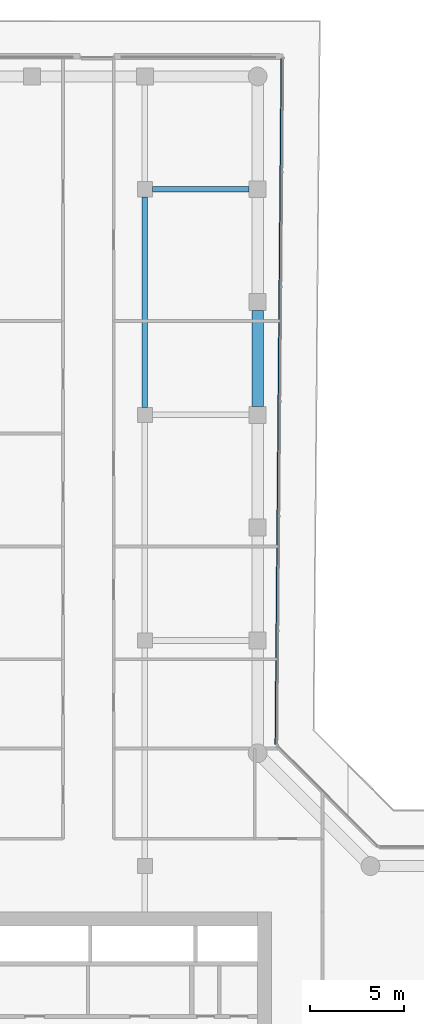
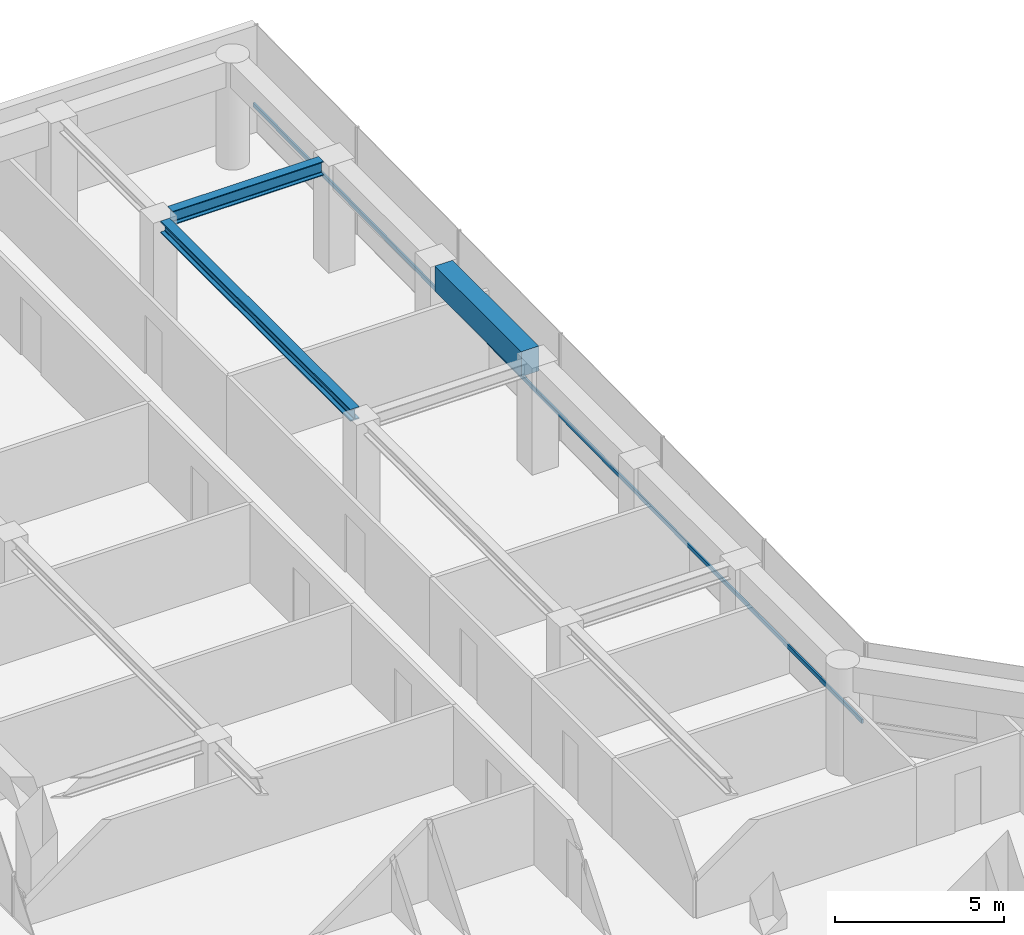
# One storey, part 15 of 23: 3 beams, 1 member, 1 element without a shape of its own.
"""IFC4 building model written with IfcOpenShell, lengths in metres."""

from ifc_helpers import new_model, si_unit, direction, frame, origin, origin_2d, place, context, subcontext, project, spatial, rectangle, i_section, extrude, material, layer, layer_set, material_profile, profile_set, type_object, element, aggregate, save


model = new_model("IFC4")

# Units and contexts
model_context = context("Model", 3, precision=1e-05, world=origin(), true_north=direction((0.0, 1.0)))
body_context = subcontext(model_context, "Body", "Model", "MODEL_VIEW")
ifc_project = project(units=[si_unit("LENGTHUNIT", "METRE"), si_unit("AREAUNIT", "SQUARE_METRE"), si_unit("VOLUMEUNIT", "CUBIC_METRE"), si_unit("PLANEANGLEUNIT", "RADIAN"), si_unit("MASSUNIT", "GRAM", prefix="KILO")], contexts=[model_context])

# Site, building, storey
site_placement = place(None, origin())
site = spatial("IfcSite", under=ifc_project, at=site_placement, CompositionType="ELEMENT")
building_placement = place(site_placement, origin())
building = spatial("IfcBuilding", under=site, at=building_placement, Name="Welwitschia Terrace Campus", CompositionType="ELEMENT")
storey_placement = place(building_placement, frame((0.0, 0.0, 113.0)))
storey = spatial("IfcBuildingStorey", under=building, at=storey_placement, Name="L25", CompositionType="ELEMENT", Elevation=113.0)

# Beams
ifc_material_1 = material(Name="Steel S355", Category="steel")
ifc_material_profile_1 = material_profile(ifc_material_1, i_section(OverallWidth=0.306884765625, OverallDepth=0.431884765625, WebThickness=0.02099609375, FlangeThickness=0.0400390625, FilletRadius=0.027099609375, at=origin_2d()))
ifc_profile_set_1 = profile_set([ifc_material_profile_1], Name="Steel S355")
beam_type_1 = type_object("IfcBeamType", Name="Interior girder HE 400 M", PredefinedType="BEAM", material=ifc_profile_set_1)
beam_1_placement = place(storey_placement, frame((18.0, 52.400390625, 3.634033203125), z_axis=(0.0, 1.0, 0.0), x_axis=(-1.0, 0.0, 0.0)))
element("IfcBeam", 1, at=beam_1_placement, inside=storey, type_object=beam_type_1, Name="Girder GB3", PredefinedType="BEAM", context=body_context, shape_type="SweptSolid", body=[
    extrude(i_section(OverallWidth=0.306884765625, OverallDepth=0.431884765625, WebThickness=0.02099609375, FlangeThickness=0.0400390625, FilletRadius=0.027099609375, at=origin_2d()), origin(), (0.0, 0.0, 1.0), 11.19921875),
])
ifc_material_2 = material(Name="Steel S355", Category="steel")
ifc_material_profile_2 = material_profile(ifc_material_2, i_section(OverallWidth=0.300048828125, OverallDepth=0.5, WebThickness=0.014404296875, FlangeThickness=0.028076171875, FilletRadius=0.027099609375, at=origin_2d()))
ifc_profile_set_2 = profile_set([ifc_material_profile_2], Name="Steel S355")
beam_type_2 = type_object("IfcBeamType", Name="Primary beam HE 500 B", PredefinedType="BEAM", material=ifc_profile_set_2)
beam_2_placement = place(storey_placement, frame((23.549560546875, 64.0, 3.60009765625), z_axis=(-1.0, 0.0, 0.0), x_axis=(0.0, -1.0, 0.0)))
element("IfcBeam", 2, at=beam_2_placement, inside=storey, type_object=beam_type_2, Name="Primary beam PB3", PredefinedType="BEAM", context=body_context, shape_type="SweptSolid", body=[
    extrude(i_section(OverallWidth=0.300048828125, OverallDepth=0.5, WebThickness=0.014404296875, FlangeThickness=0.028076171875, FilletRadius=0.027099609375, at=origin_2d()), origin(), (0.0, 0.0, 1.0), 5.149169921875),
])
ifc_material_3 = material(Name="Concrete C60/75", Category="concrete")
ifc_material_profile_3 = material_profile(ifc_material_3, rectangle(XDim=0.60009765625, YDim=0.89990234375, at=origin_2d()))
ifc_profile_set_3 = profile_set([ifc_material_profile_3], Name="Concrete C60/75")
beam_type_3 = type_object("IfcBeamType", Name="Ring spandrel 600x900", PredefinedType="SPANDREL", material=ifc_profile_set_3)
beam_3_placement = place(storey_placement, frame((24.0, 52.450439453125, 3.39990234375), z_axis=(0.0, 1.0, 0.0), x_axis=(-1.0, 0.0, 0.0)))
element("IfcBeam", 3, at=beam_3_placement, inside=storey, type_object=beam_type_3, Name="Spandrel SP2", PredefinedType="SPANDREL", context=body_context, shape_type="SweptSolid", body=[
    extrude(rectangle(XDim=0.60009765625, YDim=0.89990234375, at=origin_2d()), origin(), (0.0, 0.0, 1.0), 5.09912109375),
])

# Curtain wall, member
ifc_material_4 = material(Name="Bronze anodised aluminium", Category="aluminium")
ifc_layer = layer(ifc_material_4, 0.1201171875)
ifc_layer_set = layer_set([ifc_layer], Name="Bronze anodised aluminium")
curtain_wall_type = type_object("IfcCurtainWallType", Name="Curtain wall CW2 tower 6000", PredefinedType="NOTDEFINED", material=ifc_layer_set)
curtain_wall_placement = place(storey_placement, origin())
curtain_wall = element("IfcCurtainWall", 4, at=curtain_wall_placement, inside=storey, type_object=curtain_wall_type, Name="CW L25.11.0", PredefinedType="NOTDEFINED")
ifc_material_5 = material(Name="Bronze anodised aluminium", Category="aluminium")
ifc_material_profile_4 = material_profile(ifc_material_5, rectangle(XDim=0.06005859375, YDim=0.14990234375, at=origin_2d()))
ifc_profile_set_4 = profile_set([ifc_material_profile_4], Name="Bronze anodised aluminium")
member_type = type_object("IfcMemberType", Name="Transom 60x150", PredefinedType="USERDEFINED", material=ifc_profile_set_4)
member_placement = place(storey_placement, frame((24.951416015625, 34.4765625, 1.0), z_axis=(0.008728439638, 0.999961906445, 0.0), x_axis=(-0.999961906445, 0.008728439638, 0.0)))
member = element("IfcMember", 5, at=member_placement, type_object=member_type, Name="Transom L25.11.0", ObjectType="TRANSOM", PredefinedType="USERDEFINED", context=body_context, shape_type="SweptSolid", body=[
    extrude(rectangle(XDim=0.06005859375, YDim=0.14990234375, at=origin_2d()), origin(), (0.0, 0.0, 1.0), 36.473876953125),
])
aggregate(curtain_wall, [member])

save(model, "model.ifc")
